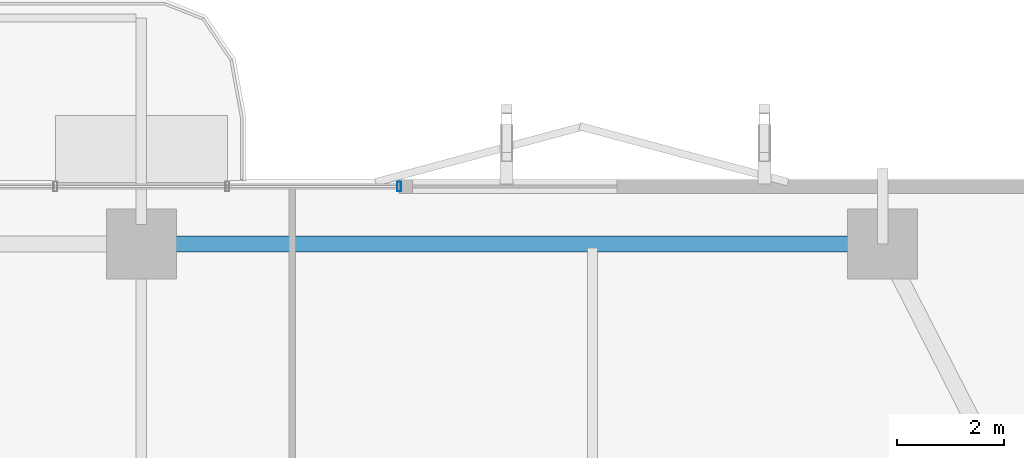
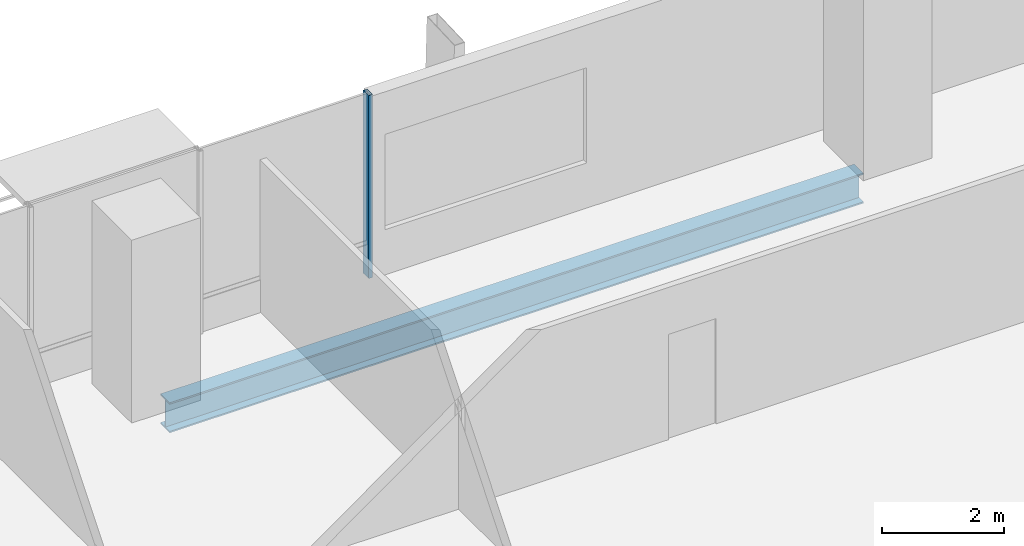
# One storey, part 15 of 24: 1 beam, 1 member, 1 element without a shape of its own.
"""IFC4 building model written with IfcOpenShell, lengths in metres."""

import ifcopenshell
import ifcopenshell.guid

model = None  # the IFC model being written
_history = None  # IfcOwnerHistory: only IFC2X3 demands one
_inside = {}  # id of a spatial element -> (the spatial element, [elements in it])
_under = {}  # id of a project, library or spatial element -> (it, [spatial elements below it])
_declared = {}  # id of a project -> (the project, [libraries it declares])
_typed = {}  # id of a type object -> (the type object, [elements of that type])
_made_of = {}  # id of a material, layer set ... -> (it, [elements and type objects made of it])


def new_model(schema):
    """Start an empty IFC model of exactly this schema.

    Asked for "IFC4X3", IfcOpenShell would pick the latest addendum, in which some entities
    have other attributes; the version numbers below select the first issue.
    IFC2X3 requires an IfcOwnerHistory on every rooted entity: one is made here for all.
    """
    global model, _history
    if schema == "IFC4X3":
        model = ifcopenshell.file(schema_version=(4, 3, 0, 0))
    else:
        model = ifcopenshell.file(schema=schema)
    _inside.clear()
    _under.clear()
    _declared.clear()
    _typed.clear()
    _made_of.clear()
    _history = None
    if model.schema == "IFC2X3":
        org = make("IfcOrganization", Name="unknown")
        user = make(
            "IfcPersonAndOrganization",
            ThePerson=make("IfcPerson", FamilyName="unknown"),
            TheOrganization=org,
        )
        app = make(
            "IfcApplication",
            ApplicationDeveloper=org,
            Version="unknown",
            ApplicationFullName="unknown",
            ApplicationIdentifier="unknown",
        )
        _history = make(
            "IfcOwnerHistory",
            OwningUser=user,
            OwningApplication=app,
            ChangeAction="ADDED",
            CreationDate=0,
        )
    return model


def make(cls, **values):
    """One entity of the class cls with the attributes given. An attribute that is None is left unset."""
    return model.create_entity(
        cls, **{name: value for name, value in values.items() if value is not None}
    )


def rooted(cls, **values):
    """An entity with a GlobalId (a new one), such as an element, a storey or a relation."""
    return make(cls, GlobalId=ifcopenshell.guid.new(), OwnerHistory=_history, **values)


def si_unit(unit_type, name, prefix=None):
    """IfcSIUnit, for example si_unit("LENGTHUNIT", "METRE", prefix="MILLI")."""
    return make("IfcSIUnit", UnitType=unit_type, Prefix=prefix, Name=name)


def assignment(units):
    """IfcUnitAssignment: the units of a project."""
    return None if units is None else make("IfcUnitAssignment", Units=units)


def point(xyz):
    """IfcCartesianPoint."""
    return None if xyz is None else make("IfcCartesianPoint", Coordinates=xyz)


def direction(xyz):
    """IfcDirection."""
    return None if xyz is None else make("IfcDirection", DirectionRatios=xyz)


def frame(location, z_axis=None, x_axis=None):
    """IfcAxis2Placement3D, a coordinate frame: its origin and axes. An axis left out is left unset."""
    return make(
        "IfcAxis2Placement3D",
        Location=point(location),
        Axis=direction(z_axis),
        RefDirection=direction(x_axis),
    )


def frame_2d(location, x_axis=None):
    """IfcAxis2Placement2D, a coordinate frame in the plane: its origin and x axis."""
    return make(
        "IfcAxis2Placement2D", Location=point(location), RefDirection=direction(x_axis)
    )


def origin():
    """The frame at (0, 0, 0) with its axes left unset."""
    return frame((0.0, 0.0, 0.0))


def origin_2d():
    """The frame at (0, 0) in the plane with its x axis left unset."""
    return frame_2d((0.0, 0.0))


def place(relative_to, where):
    """IfcLocalPlacement: puts the frame where relative to a parent placement (None: the world)."""
    return make(
        "IfcLocalPlacement", PlacementRelTo=relative_to, RelativePlacement=where
    )


def context(
    kind, dimensions, precision=None, world=None, true_north=None, identifier=None
):
    """IfcGeometricRepresentationContext, for example the 3D "Model" context."""
    return make(
        "IfcGeometricRepresentationContext",
        ContextIdentifier=identifier,
        ContextType=kind,
        CoordinateSpaceDimension=dimensions,
        Precision=precision,
        WorldCoordinateSystem=world,
        TrueNorth=true_north,
    )


def subcontext(parent, identifier, kind, view, scale=None):
    """IfcGeometricRepresentationSubContext, for example "Body" below "Model"."""
    return make(
        "IfcGeometricRepresentationSubContext",
        ContextIdentifier=identifier,
        ContextType=kind,
        ParentContext=parent,
        TargetScale=scale,
        TargetView=view,
    )


def project(units=None, contexts=None):
    """IfcProject with its units and contexts."""
    return rooted(
        "IfcProject",
        Name="project",
        RepresentationContexts=contexts,
        UnitsInContext=assignment(units),
    )


def spatial(cls, under=None, at=None, **own):
    """A site, building, storey or space (cls), placed at a placement, below another one or the project."""
    s = rooted(cls, ObjectPlacement=at, **own)
    if under is not None:
        _under.setdefault(under.id(), (under, []))[1].append(s)
    return s


def profile(cls, at=None, kind="AREA", **sizes):
    """A parametric profile (cls). Its sizes go by their IFC names, for example OverallWidth=200.0."""
    return make(cls, ProfileType=kind, Position=at, **sizes)


def hollow_rectangle(**sizes):
    """IfcRectangleHollowProfileDef."""
    return profile("IfcRectangleHollowProfileDef", **sizes)


def i_section(**sizes):
    """IfcIShapeProfileDef."""
    return profile("IfcIShapeProfileDef", **sizes)


def extrude(swept, where, along, depth):
    """IfcExtrudedAreaSolid: the profile swept, set in the frame where, extruded along a direction by depth."""
    return make(
        "IfcExtrudedAreaSolid",
        SweptArea=swept,
        Position=where,
        ExtrudedDirection=direction(along),
        Depth=depth,
    )


def shape(context_of_items, identifier, shape_type, items):
    """IfcShapeRepresentation: the items that make up one representation, for example the "Body"."""
    return make(
        "IfcShapeRepresentation",
        ContextOfItems=context_of_items,
        RepresentationIdentifier=identifier,
        RepresentationType=shape_type,
        Items=items,
    )


def material(Name=None, Category=None):
    """IfcMaterial."""
    return make("IfcMaterial", Name=Name, Category=Category)


def layer(
    of_material, thickness, ventilated=None, Name=None, Category=None, Priority=None
):
    """IfcMaterialLayer: one layer of a wall or slab, of a material (None: an air gap)."""
    return make(
        "IfcMaterialLayer",
        Material=of_material,
        LayerThickness=thickness,
        IsVentilated=ventilated,
        Name=Name,
        Category=Category,
        Priority=Priority,
    )


def layer_set(layers, Name=None):
    """IfcMaterialLayerSet."""
    return make("IfcMaterialLayerSet", MaterialLayers=layers, LayerSetName=Name)


def material_profile(
    of_material, cross_section, Name=None, Category=None, Priority=None
):
    """IfcMaterialProfile: a cross section and its material."""
    return make(
        "IfcMaterialProfile",
        Name=Name,
        Material=of_material,
        Profile=cross_section,
        Priority=Priority,
        Category=Category,
    )


def profile_set(profiles, Name=None, composite=None):
    """IfcMaterialProfileSet."""
    return make(
        "IfcMaterialProfileSet",
        Name=Name,
        MaterialProfiles=profiles,
        CompositeProfile=composite,
    )


def made_of(thing, what):
    """Note that an element or type object is made of a material, layer set ...; save() writes the relation."""
    if what is not None:
        _made_of.setdefault(what.id(), (what, []))[1].append(thing)
    return thing


def type_object(cls, material=None, **own):
    """A type object (cls), such as IfcWallType, which elements share."""
    return made_of(rooted(cls, **own), material)


def element(
    cls,
    number,
    at=None,
    inside=None,
    cuts=None,
    type_object=None,
    material=None,
    context=None,
    identifier="Body",
    shape_type=None,
    held_by="IfcProductDefinitionShape",
    body=None,
    shapes=None,
    **own,
):
    """One element of the class cls, such as IfcWall. Its Tag is "e" and its number.

    at: its placement. inside: the storey or other place that contains it. cuts: it is an
    opening in that element (IfcRelVoidsElement). A single representation is given by context,
    identifier, shape_type and body (its items); several are given by shapes. held_by: the class
    of the entity that holds the representations. save() writes the other relations.
    """
    e = rooted(cls, Tag="e%d" % number, ObjectPlacement=at, **own)
    if body is not None:
        shapes = [shape(context, identifier, shape_type, body)]
    if shapes is not None:
        e.Representation = make(held_by, Representations=shapes)
    if inside is not None:
        _inside.setdefault(inside.id(), (inside, []))[1].append(e)
    if cuts is not None:
        rooted(
            "IfcRelVoidsElement", RelatingBuildingElement=cuts, RelatedOpeningElement=e
        )
    if type_object is not None:
        _typed.setdefault(type_object.id(), (type_object, []))[1].append(e)
    return made_of(e, material)


def aggregate(whole, parts):
    """IfcRelAggregates: a whole, such as a stair, and the parts it consists of."""
    return rooted("IfcRelAggregates", RelatingObject=whole, RelatedObjects=parts)


def save(model, path):
    """Write the relations noted so far, then the file.

    IfcRelAggregates (storeys below a building ...), IfcRelContainedInSpatialStructure (elements
    in a storey), IfcRelDefinesByType, IfcRelAssociatesMaterial and IfcRelDeclares: one each for
    every whole, place, type object, material and project.
    """
    for whole, parts in _under.values():
        aggregate(whole, parts)
    for where, things in _inside.values():
        rooted(
            "IfcRelContainedInSpatialStructure",
            RelatedElements=things,
            RelatingStructure=where,
        )
    for kind, things in _typed.values():
        rooted("IfcRelDefinesByType", RelatedObjects=things, RelatingType=kind)
    for what, things in _made_of.values():
        rooted("IfcRelAssociatesMaterial", RelatedObjects=things, RelatingMaterial=what)
    for by, libraries in _declared.values():
        rooted("IfcRelDeclares", RelatingContext=by, RelatedDefinitions=libraries)
    model.write(path)


model = new_model("IFC4")

# Units and contexts
model_context = context("Model", 3, precision=1e-05, world=origin(), true_north=direction((0.0, 1.0)))
body_context = subcontext(model_context, "Body", "Model", "MODEL_VIEW")
ifc_project = project(units=[si_unit("LENGTHUNIT", "METRE"), si_unit("AREAUNIT", "SQUARE_METRE"), si_unit("VOLUMEUNIT", "CUBIC_METRE"), si_unit("PLANEANGLEUNIT", "RADIAN"), si_unit("MASSUNIT", "GRAM", prefix="KILO")], contexts=[model_context])

# Site, building, storey
site_placement = place(None, origin())
site = spatial("IfcSite", under=ifc_project, at=site_placement, CompositionType="ELEMENT")
building_placement = place(site_placement, origin())
building = spatial("IfcBuilding", under=site, at=building_placement, Name="Belovzor Exchange Tower", CompositionType="ELEMENT")
storey_placement = place(building_placement, frame((0.0, 0.0, 117.300048828125)))
storey = spatial("IfcBuildingStorey", under=building, at=storey_placement, Name="L28", CompositionType="ELEMENT", Elevation=117.300048828125)

# Curtain wall, member
ifc_material_1 = material(Name="Anodised Aluminium Framing", Category="aluminium")
ifc_layer = layer(ifc_material_1, 0.179931640625)
ifc_layer_set = layer_set([ifc_layer], Name="Anodised Aluminium Framing")
curtain_wall_type = type_object("IfcCurtainWallType", Name="Recessed Loggia Low-Iron Triple-Glazed Curtain Wall", PredefinedType="NOTDEFINED", material=ifc_layer_set)
curtain_wall_placement = place(storey_placement, origin())
curtain_wall = element("IfcCurtainWall", 1, at=curtain_wall_placement, inside=storey, type_object=curtain_wall_type, Name="CW3 Recessed Loggia Low-Iron Triple-Glazed Curtain Wall L28", PredefinedType="NOTDEFINED")
ifc_material_2 = material(Name="Steel S355", Category="steel")
ifc_material_profile_1 = material_profile(ifc_material_2, hollow_rectangle(XDim=0.074951171875, YDim=0.179931640625, WallThickness=0.0048828125, at=origin_2d()))
ifc_profile_set_1 = profile_set([ifc_material_profile_1], Name="Steel S355")
member_type = type_object("IfcMemberType", Name="Thermally Broken Curtain Wall Mullion 180x75", PredefinedType="MULLION", material=ifc_profile_set_1)
member_placement = place(storey_placement, frame((33.60009765625, 54.77001953125, 0.0), z_axis=(0.0, 0.0, 1.0), x_axis=(1.0, 0.0, 0.0)))
member = element("IfcMember", 2, at=member_placement, type_object=member_type, Name="CW-M180 Curtain Wall Mullion 4", PredefinedType="MULLION", context=body_context, shape_type="SweptSolid", body=[
    extrude(hollow_rectangle(XDim=0.074951171875, YDim=0.179931640625, WallThickness=0.0048828125, at=origin_2d()), origin(), (0.0, 0.0, 1.0), 3.64990234375),
])
aggregate(curtain_wall, [member])

# Beam
ifc_material_3 = material(Name="Steel S355", Category="steel")
ifc_material_profile_2 = material_profile(ifc_material_3, i_section(OverallWidth=0.300048828125, OverallDepth=0.60009765625, WebThickness=0.015380859375, FlangeThickness=0.030029296875, at=origin_2d()))
ifc_profile_set_2 = profile_set([ifc_material_profile_2], Name="Steel S355")
beam_type = type_object("IfcBeamType", Name="Zone 2 Primary Perimeter Girder HEB 600", PredefinedType="BEAM", material=ifc_profile_set_2)
beam_placement = place(storey_placement, frame((42.241943359375, 53.699951171875, -0.550048828125), z_axis=(-1.0, 0.0, 0.0), x_axis=(0.0, -1.0, 0.0)))
element("IfcBeam", 3, at=beam_placement, inside=storey, type_object=beam_type, Name="FG-Z2 Zone 2 Primary Perimeter Girder HEB 600", PredefinedType="BEAM", context=body_context, shape_type="SweptSolid", body=[
    extrude(i_section(OverallWidth=0.300048828125, OverallDepth=0.60009765625, WebThickness=0.015380859375, FlangeThickness=0.030029296875, at=origin_2d()), origin(), (0.0, 0.0, 1.0), 13.083984375),
])

save(model, "model.ifc")
